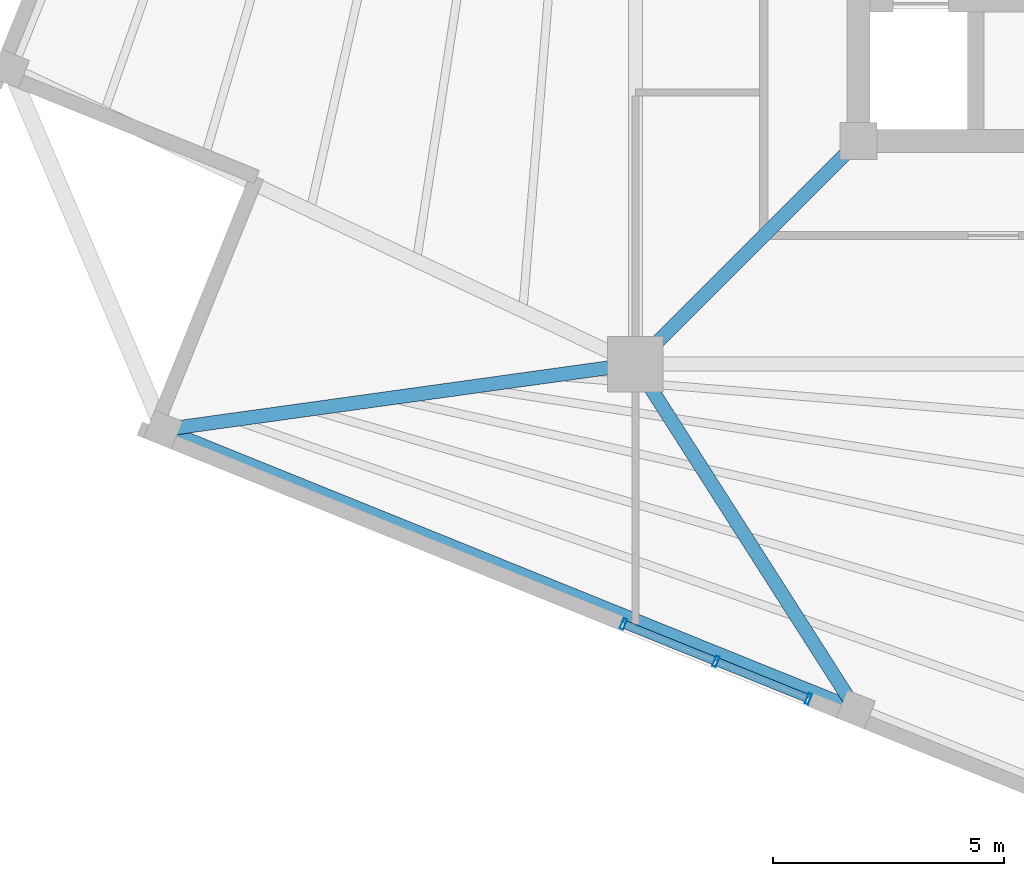
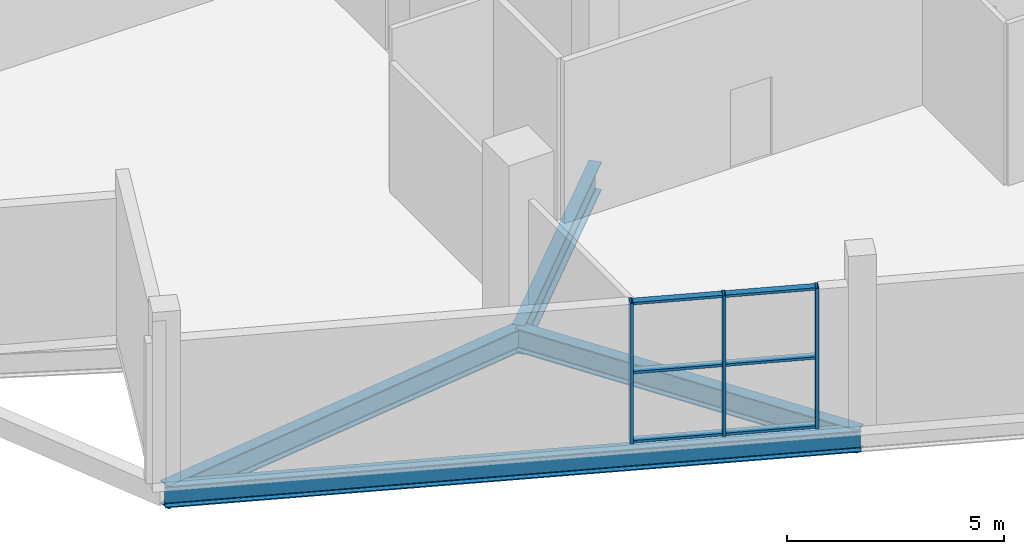
# One storey, part 2 of 12: 9 members, 4 beams, 1 element without a shape of its own.
"""IFC4 building model written with IfcOpenShell, lengths in metres."""

from ifc_helpers import new_model, si_unit, direction, frame, origin, origin_2d, place, context, subcontext, project, spatial, hollow_rectangle, i_section, extrude, source, transform, mapped, material, layer, layer_set, material_profile, profile_set, type_object, element, aggregate, save


model = new_model("IFC4")

# Units and contexts
model_context = context("Model", 3, precision=1e-05, world=origin(), true_north=direction((0.0, 1.0)))
body_context = subcontext(model_context, "Body", "Model", "MODEL_VIEW")
ifc_project = project(units=[si_unit("LENGTHUNIT", "METRE"), si_unit("AREAUNIT", "SQUARE_METRE"), si_unit("VOLUMEUNIT", "CUBIC_METRE"), si_unit("PLANEANGLEUNIT", "RADIAN"), si_unit("MASSUNIT", "GRAM", prefix="KILO"), si_unit("THERMODYNAMICTEMPERATUREUNIT", "KELVIN")], contexts=[model_context])

# Site, building, storey
site_placement = place(None, origin())
site = spatial("IfcSite", under=ifc_project, at=site_placement, CompositionType="ELEMENT")
building_placement = place(site_placement, origin())
building = spatial("IfcBuilding", under=site, at=building_placement, Name="Kosmvard Interchange Tower", CompositionType="ELEMENT")
storey_placement = place(building_placement, frame((0.0, 0.0, 312.0)))
storey = spatial("IfcBuildingStorey", under=building, at=storey_placement, Name="L77", CompositionType="ELEMENT", Elevation=312.0)

# Beams
ifc_material_1 = material(Name="Steel S355", Category="steel")
ifc_material_profile_1 = material_profile(ifc_material_1, i_section(OverallWidth=0.300048828125, OverallDepth=0.800048828125, WebThickness=0.017578125, FlangeThickness=0.032958984375, FilletRadius=0.027099609375, at=origin_2d()), Name="HEB 800")
ifc_profile_set_1 = profile_set([ifc_material_profile_1], Name="Steel S355")
beam_type_1 = type_object("IfcBeamType", Name="Primary Mega-Frame Girder HEB 800 S355", PredefinedType="BEAM", material=ifc_profile_set_1)
shared_shape_1 = source(origin(), body_context, "Body", "SweptSolid", [
    extrude(i_section(OverallWidth=0.300048828125, OverallDepth=0.800048828125, WebThickness=0.017578125, FlangeThickness=0.032958984375, FilletRadius=0.027099609375, at=origin_2d()), origin(), (0.0, 0.0, 1.0), 6.83203125),
])
beam_1_placement = place(storey_placement, frame((-8.25, -8.25, -0.64990234375), z_axis=(-0.707106781187, -0.707106781187, 0.0), x_axis=(0.707106781187, -0.707106781187, 0.0)))
element("IfcBeam", 1, at=beam_1_placement, inside=storey, type_object=beam_type_1, Name="L77 Radial Mega-Frame Girder 1", PredefinedType="BEAM", context=body_context, shape_type="MappedRepresentation", body=[
    mapped(shared_shape_1, transform((0.0, 0.0, 0.0), scale=1.0)),
])
ifc_material_profile_2 = material_profile(ifc_material_1, i_section(OverallWidth=0.300048828125, OverallDepth=0.60009765625, WebThickness=0.015380859375, FlangeThickness=0.030029296875, FilletRadius=0.027099609375, at=origin_2d()), Name="HEB 600")
ifc_profile_set_2 = profile_set([ifc_material_profile_2], Name="Steel S355")
beam_type_2 = type_object("IfcBeamType", Name="Perimeter Tie Girder HEB 600 S355", PredefinedType="BEAM", material=ifc_profile_set_2)
shared_shape_2 = source(origin(), body_context, "Body", "SweptSolid", [
    extrude(i_section(OverallWidth=0.300048828125, OverallDepth=0.60009765625, WebThickness=0.015380859375, FlangeThickness=0.030029296875, FilletRadius=0.027099609375, at=origin_2d()), origin(), (0.0, 0.0, 1.0), 16.175048828125),
])
beam_2_placement = place(storey_placement, frame((-23.30419921875, -14.5009765625, -0.550048828125), z_axis=(0.927183472009, -0.374607540279, 0.0), x_axis=(0.374607540279, 0.927183472009, 0.0)))
element("IfcBeam", 2, at=beam_2_placement, inside=storey, type_object=beam_type_2, Name="BM-L77-PR10", PredefinedType="BEAM", context=body_context, shape_type="MappedRepresentation", body=[
    mapped(shared_shape_2, transform((0.0, 0.0, 0.0), scale=1.0)),
])
ifc_material_profile_3 = material_profile(ifc_material_1, i_section(OverallWidth=0.300048828125, OverallDepth=0.64990234375, WebThickness=0.01611328125, FlangeThickness=0.031005859375, FilletRadius=0.027099609375, at=origin_2d()), Name="HEB 650")
ifc_profile_set_3 = profile_set([ifc_material_profile_3], Name="Steel S355")
beam_type_3 = type_object("IfcBeamType", Name="Primary Floor Girder HEB 650 S355", PredefinedType="BEAM", material=ifc_profile_set_3)
shared_shape_3 = source(origin(), body_context, "Body", "SweptSolid", [
    extrude(i_section(OverallWidth=0.300048828125, OverallDepth=0.64990234375, WebThickness=0.01611328125, FlangeThickness=0.031005859375, FilletRadius=0.027099609375, at=origin_2d()), origin(), (0.0, 0.0, 1.0), 10.3212890625),
])
beam_3_placement = place(storey_placement, frame((-13.0810546875, -13.0810546875, -0.574951171875), z_axis=(-0.990491735984, -0.137572239014, 0.0), x_axis=(0.137572239014, -0.990491735984, 0.0)))
element("IfcBeam", 3, at=beam_3_placement, inside=storey, type_object=beam_type_3, Name="BM-L77-RD10", PredefinedType="BEAM", context=body_context, shape_type="MappedRepresentation", body=[
    mapped(shared_shape_3, transform((0.0, 0.0, 0.0), scale=1.0)),
])
shared_shape_4 = source(origin(), body_context, "Body", "SweptSolid", [
    extrude(i_section(OverallWidth=0.300048828125, OverallDepth=0.64990234375, WebThickness=0.01611328125, FlangeThickness=0.031005859375, FilletRadius=0.027099609375, at=origin_2d()), origin(), (0.0, 0.0, 1.0), 8.873046875),
])
beam_4_placement = place(storey_placement, frame((-13.0810546875, -13.0810546875, -0.574951171875), z_axis=(0.538050011119, -0.842912916934, 0.0), x_axis=(0.842912916934, 0.538050011119, 0.0)))
element("IfcBeam", 4, at=beam_4_placement, inside=storey, type_object=beam_type_3, Name="BM-L77-RD11", PredefinedType="BEAM", context=body_context, shape_type="MappedRepresentation", body=[
    mapped(shared_shape_4, transform((0.0, 0.0, 0.0), scale=1.0)),
])

# Curtain wall, members
ifc_material_2 = material(Name="Architectural anodised aluminium", Category="aluminium")
ifc_layer = layer(ifc_material_2, 0.239990234375, Name="Architectural anodised aluminium")
ifc_layer_set = layer_set([ifc_layer], Name="Architectural anodised aluminium")
curtain_wall_type = type_object("IfcCurtainWallType", Name="CW-5 Public Observation Panorama Curtain Wall", PredefinedType="NOTDEFINED", material=ifc_layer_set)
curtain_wall_placement = place(storey_placement, origin())
curtain_wall = element("IfcCurtainWall", 5, at=curtain_wall_placement, inside=storey, type_object=curtain_wall_type, Name="L77 Observation Panorama Curtain Wall W", PredefinedType="NOTDEFINED")
ifc_material_profile_4 = material_profile(ifc_material_2, hollow_rectangle(XDim=0.239990234375, YDim=0.080078125, WallThickness=0.006103515625, at=origin_2d()), Name="CWM 240x80x6")
ifc_profile_set_4 = profile_set([ifc_material_profile_4], Name="Architectural anodised aluminium")
member_type_1 = type_object("IfcMemberType", Name="Lantern & Observation CW Mullion 240x80 Aluminium", PredefinedType="MULLION", material=ifc_profile_set_4)
shared_shape_5 = source(origin(), body_context, "Body", "SweptSolid", [
    extrude(hollow_rectangle(XDim=0.239990234375, YDim=0.080078125, WallThickness=0.006103515625, at=origin_2d()), origin(), (0.0, 0.0, 1.0), 3.949951171875),
])
member_1_placement = place(storey_placement, frame((-13.34033203125, -18.7099609375, 0.0), z_axis=(0.0, 0.0, 1.0), x_axis=(0.374606588108, 0.927183856711, 0.0)))
member_1 = element("IfcMember", 6, at=member_1_placement, type_object=member_type_1, Name="CW-5 mullion 1", PredefinedType="MULLION", context=body_context, shape_type="MappedRepresentation", body=[
    mapped(shared_shape_5, transform((0.0, 0.0, 0.0), scale=1.0)),
])
member_2_placement = place(storey_placement, frame((-11.337646484375, -19.519287109375, 0.0), z_axis=(0.0, 0.0, 1.0), x_axis=(0.374606588108, 0.927183856711, 0.0)))
member_2 = element("IfcMember", 7, at=member_2_placement, type_object=member_type_1, Name="CW-5 mullion 2", PredefinedType="MULLION", context=body_context, shape_type="MappedRepresentation", body=[
    mapped(shared_shape_5, transform((0.0, 0.0, 0.0), scale=1.0)),
])
member_3_placement = place(storey_placement, frame((-9.3349609375, -20.328369140625, 0.0), z_axis=(0.0, 0.0, 1.0), x_axis=(0.374606588108, 0.927183856711, 0.0)))
member_3 = element("IfcMember", 8, at=member_3_placement, type_object=member_type_1, Name="CW-5 mullion 3", PredefinedType="MULLION", context=body_context, shape_type="MappedRepresentation", body=[
    mapped(shared_shape_5, transform((0.0, 0.0, 0.0), scale=1.0)),
])
ifc_material_profile_5 = material_profile(ifc_material_2, hollow_rectangle(XDim=0.179931640625, YDim=0.070068359375, WallThickness=0.0048828125, at=origin_2d()), Name="CWT 180x70x5")
ifc_profile_set_5 = profile_set([ifc_material_profile_5], Name="Architectural anodised aluminium")
member_type_2 = type_object("IfcMemberType", Name="Heavy Lantern CW Transom 180x70 Aluminium", PredefinedType="USERDEFINED", material=ifc_profile_set_5)
shared_shape_6 = source(origin(), body_context, "Body", "SweptSolid", [
    extrude(hollow_rectangle(XDim=0.179931640625, YDim=0.070068359375, WallThickness=0.0048828125, at=origin_2d()), origin(), (0.0, 0.0, 1.0), 2.079833984375),
])
member_4_placement = place(storey_placement, frame((-13.30322265625, -18.72509765625, 0.034912109375), z_axis=(0.927200290497, -0.374565910492, 0.0), x_axis=(0.374565910492, 0.927200290497, 0.0)))
member_4 = element("IfcMember", 9, at=member_4_placement, type_object=member_type_2, Name="CW-5 transom 1.1", ObjectType="TRANSOM", PredefinedType="USERDEFINED", context=body_context, shape_type="MappedRepresentation", body=[
    mapped(shared_shape_6, transform((0.0, 0.0, 0.0), scale=1.0)),
])
member_5_placement = place(storey_placement, frame((-13.30322265625, -18.72509765625, 1.97509765625), z_axis=(0.927200290497, -0.374565910492, 0.0), x_axis=(0.374565910492, 0.927200290497, 0.0)))
member_5 = element("IfcMember", 10, at=member_5_placement, type_object=member_type_2, Name="CW-5 transom 1.2", ObjectType="TRANSOM", PredefinedType="USERDEFINED", context=body_context, shape_type="MappedRepresentation", body=[
    mapped(shared_shape_6, transform((0.0, 0.0, 0.0), scale=1.0)),
])
member_6_placement = place(storey_placement, frame((-13.30322265625, -18.72509765625, 3.9150390625), z_axis=(0.927200290497, -0.374565910492, 0.0), x_axis=(0.374565910492, 0.927200290497, 0.0)))
member_6 = element("IfcMember", 11, at=member_6_placement, type_object=member_type_2, Name="CW-5 transom 1.3", ObjectType="TRANSOM", PredefinedType="USERDEFINED", context=body_context, shape_type="MappedRepresentation", body=[
    mapped(shared_shape_6, transform((0.0, 0.0, 0.0), scale=1.0)),
])
shared_shape_7 = source(origin(), body_context, "Body", "SweptSolid", [
    extrude(hollow_rectangle(XDim=0.179931640625, YDim=0.070068359375, WallThickness=0.0048828125, at=origin_2d()), origin(), (0.0, 0.0, 1.0), 2.080078125),
])
member_7_placement = place(storey_placement, frame((-11.300537109375, -19.5341796875, 0.034912109375), z_axis=(0.927216756456, -0.374525148083, 0.0), x_axis=(0.374525148083, 0.927216756456, 0.0)))
member_7 = element("IfcMember", 12, at=member_7_placement, type_object=member_type_2, Name="CW-5 transom 2.1", ObjectType="TRANSOM", PredefinedType="USERDEFINED", context=body_context, shape_type="MappedRepresentation", body=[
    mapped(shared_shape_7, transform((0.0, 0.0, 0.0), scale=1.0)),
])
member_8_placement = place(storey_placement, frame((-11.300537109375, -19.5341796875, 1.97509765625), z_axis=(0.927216756456, -0.374525148083, 0.0), x_axis=(0.374525148083, 0.927216756456, 0.0)))
member_8 = element("IfcMember", 13, at=member_8_placement, type_object=member_type_2, Name="CW-5 transom 2.2", ObjectType="TRANSOM", PredefinedType="USERDEFINED", context=body_context, shape_type="MappedRepresentation", body=[
    mapped(shared_shape_7, transform((0.0, 0.0, 0.0), scale=1.0)),
])
member_9_placement = place(storey_placement, frame((-11.300537109375, -19.5341796875, 3.9150390625), z_axis=(0.927216756456, -0.374525148083, 0.0), x_axis=(0.374525148083, 0.927216756456, 0.0)))
member_9 = element("IfcMember", 14, at=member_9_placement, type_object=member_type_2, Name="CW-5 transom 2.3", ObjectType="TRANSOM", PredefinedType="USERDEFINED", context=body_context, shape_type="MappedRepresentation", body=[
    mapped(shared_shape_7, transform((0.0, 0.0, 0.0), scale=1.0)),
])
aggregate(curtain_wall, [member_1, member_2, member_3, member_4, member_5, member_6, member_7, member_8, member_9])

save(model, "model.ifc")
